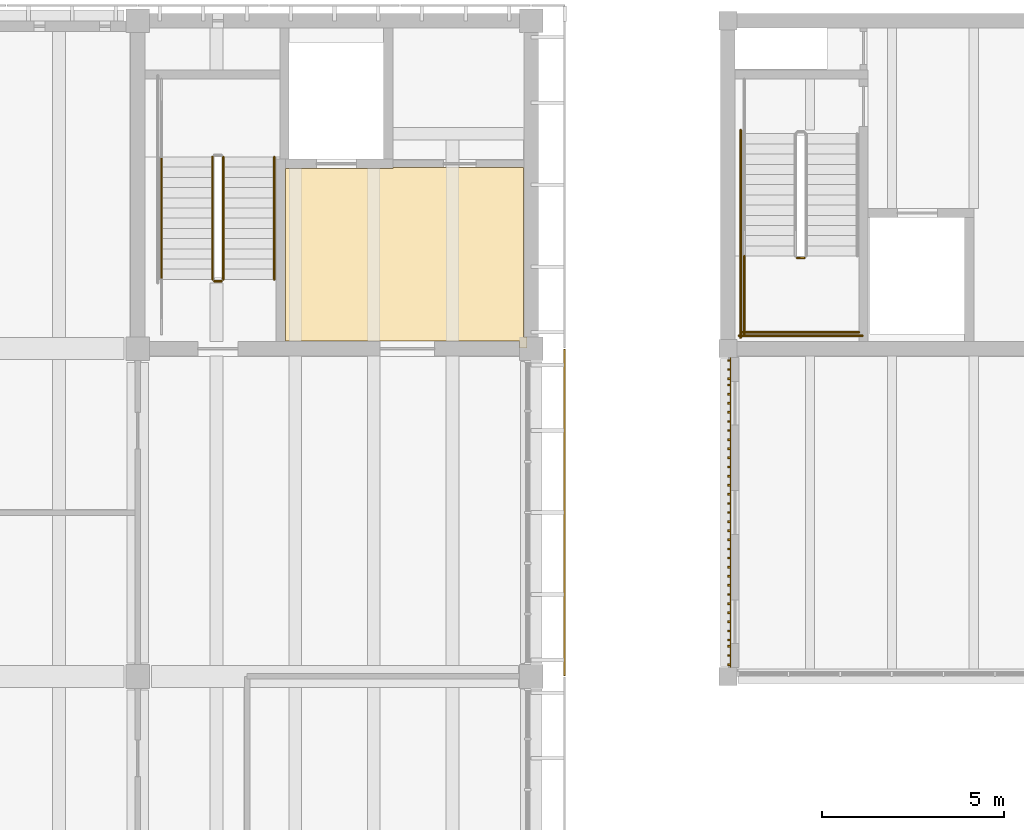
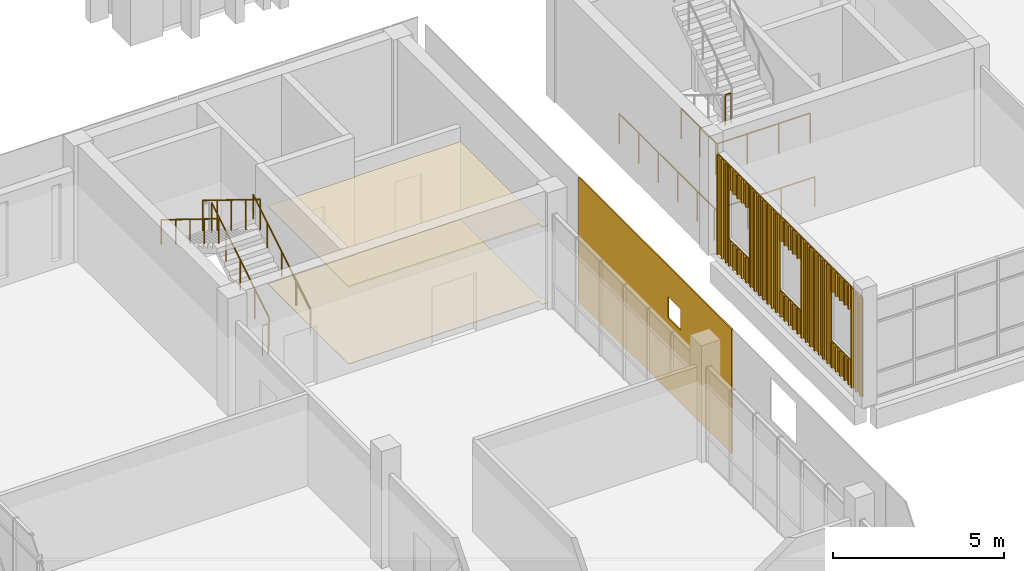
# One storey, part 81 of 92: 13 coverings, 10 railings.
"""IFC4 building model written with IfcOpenShell, lengths in metres."""

from ifc_helpers import new_model, si_unit, direction, frame, origin, origin_2d, place, context, subcontext, project, spatial, polyline, circle, outline, extrude, source, transform, mapped, material, layer, layer_set, type_object, element, save


model = new_model("IFC4")

# Units and contexts
model_context = context("Model", 3, precision=1e-05, world=origin(), true_north=direction((0.0, 1.0)))
body_context = subcontext(model_context, "Body", "Model", "MODEL_VIEW")
ifc_project = project(units=[si_unit("LENGTHUNIT", "METRE"), si_unit("AREAUNIT", "SQUARE_METRE"), si_unit("VOLUMEUNIT", "CUBIC_METRE"), si_unit("PLANEANGLEUNIT", "RADIAN"), si_unit("MASSUNIT", "GRAM", prefix="KILO")], contexts=[model_context])

# Site, building, storey
site_placement = place(None, origin())
site = spatial("IfcSite", under=ifc_project, at=site_placement, CompositionType="ELEMENT")
building_placement = place(site_placement, origin())
building = spatial("IfcBuilding", under=site, at=building_placement, Name="Merrow Basin Faculty of Sciences", CompositionType="ELEMENT")
storey_placement = place(building_placement, frame((0.0, 0.0, 4.5)))
storey = spatial("IfcBuildingStorey", under=building, at=storey_placement, Name="L01", CompositionType="ELEMENT", Elevation=4.5)

# Covering
ifc_material_1 = material(Name="Polished terrazzo floor")
ifc_layer_1 = layer(ifc_material_1, 0.02001953125)
ifc_layer_set_1 = layer_set([ifc_layer_1], Name="Polished terrazzo floor")
covering_type_1 = type_object("IfcCoveringType", Name="Polished terrazzo floor", PredefinedType="FLOORING", material=ifc_layer_set_1)
covering_1_placement = place(storey_placement, origin())
element("IfcCovering", 1, at=covering_1_placement, inside=storey, type_object=covering_type_1, Name="Floor finish L01-B-012", PredefinedType="FLOORING", context=body_context, shape_type="SweptSolid", body=[
    extrude(outline(polyline([(21.389892578125, 128.965087890625), (21.389892578125, 124.31494140625), (21.489990234375, 124.31494140625), (21.489990234375, 124.010009765625), (21.284912109375, 124.010009765625), (21.284912109375, 124.2099609375), (14.860107421875, 124.2099609375), (14.860107421875, 128.93994140625), (17.81005859375, 128.93994140625), (17.81005859375, 128.965087890625), (21.389892578125, 128.965087890625)])), origin(), (0.0, 0.0, 1.0), 0.02001953125),
])

# Railings
ifc_material_2 = material(Name="Steel ASTM A36", Category="steel")
railing_type_1 = type_object("IfcRailingType", Name="Steel guard 1100", PredefinedType="GUARDRAIL", material=ifc_material_2)
railing_1_placement = place(storey_placement, frame((13.14990234375, 125.89990234375, 0.173095703125)))
element("IfcRailing", 2, at=railing_1_placement, inside=storey, type_object=railing_type_1, Name="L01 ST-V4-N stair guard 1", PredefinedType="GUARDRAIL", context=body_context, shape_type="SweptSolid", body=[
    extrude(circle(Radius=0.02392578125, at=origin_2d()), frame((0.0, 0.0, 1.076171875), z_axis=(0.0, 0.850623216509, 0.525775754039), x_axis=(-1.0, 0.0, 0.0)), (0.0, 0.0, 1.0), 3.9501953125),
    extrude(circle(Radius=0.02099609375, at=origin_2d()), origin(), (0.0, 0.0, 1.0), 1.052001953125),
    extrude(circle(Radius=0.02099609375, at=origin_2d()), frame((0.0, 0.840087890625, 0.519287109375)), (0.0, 0.0, 1.0), 1.052001953125),
    extrude(circle(Radius=0.02099609375, at=origin_2d()), frame((0.0, 1.68017578125, 1.03857421875)), (0.0, 0.0, 1.0), 1.052001953125),
    extrude(circle(Radius=0.02099609375, at=origin_2d()), frame((0.0, 2.52001953125, 1.5576171875)), (0.0, 0.0, 1.0), 1.052001953125),
    extrude(circle(Radius=0.02099609375, at=origin_2d()), frame((0.0, 3.360107421875, 2.076904296875)), (0.0, 0.0, 1.0), 1.052001953125),
])
railing_2_placement = place(storey_placement, frame((12.85009765625, 129.260009765625, 2.423095703125)))
element("IfcRailing", 3, at=railing_2_placement, inside=storey, type_object=railing_type_1, Name="L01 ST-V4-N stair guard 4", PredefinedType="GUARDRAIL", context=body_context, shape_type="SweptSolid", body=[
    extrude(circle(Radius=0.02392578125, at=origin_2d()), frame((0.0, 0.0, 1.076171875), z_axis=(0.0, -0.850623216509, 0.525775754039), x_axis=(1.0, 0.0, 0.0)), (0.0, 0.0, 1.0), 3.9501953125),
    extrude(circle(Radius=0.02099609375, at=origin_2d()), origin(), (0.0, 0.0, 1.0), 1.052001953125),
    extrude(circle(Radius=0.02099609375, at=origin_2d()), frame((0.0, -0.840087890625, 0.519287109375)), (0.0, 0.0, 1.0), 1.052001953125),
    extrude(circle(Radius=0.02099609375, at=origin_2d()), frame((0.0, -1.68017578125, 1.03857421875)), (0.0, 0.0, 1.0), 1.052001953125),
    extrude(circle(Radius=0.02099609375, at=origin_2d()), frame((0.0, -2.52001953125, 1.5576171875)), (0.0, 0.0, 1.0), 1.052001953125),
    extrude(circle(Radius=0.02099609375, at=origin_2d()), frame((0.0, -3.360107421875, 2.076904296875)), (0.0, 0.0, 1.0), 1.052001953125),
])
railing_3_placement = place(storey_placement, frame((13.10009765625, 125.85009765625, 0.0)))
element("IfcRailing", 4, at=railing_3_placement, inside=storey, type_object=railing_type_1, Name="L01 ST-V4-N stair guard 5", PredefinedType="GUARDRAIL", context=body_context, shape_type="SweptSolid", body=[
    extrude(circle(Radius=0.02392578125, at=origin_2d()), frame((0.0, 0.0, 1.076171875), z_axis=(-1.0, 0.0, 0.0), x_axis=(0.0, -1.0, 0.0)), (0.0, 0.0, 1.0), 0.2001953125),
    extrude(circle(Radius=0.02099609375, at=origin_2d()), origin(), (0.0, 0.0, 1.0), 1.052001953125),
    extrude(circle(Radius=0.02099609375, at=origin_2d()), frame((-0.2001953125, 0.0, 0.0)), (0.0, 0.0, 1.0), 1.052001953125),
])
railing_4_placement = place(storey_placement, frame((28.89990234375, 126.489990234375, 2.25)))
element("IfcRailing", 5, at=railing_4_placement, inside=storey, type_object=railing_type_1, Name="L01 ST-V2-W stair guard 2", PredefinedType="GUARDRAIL", context=body_context, shape_type="SweptSolid", body=[
    extrude(circle(Radius=0.02392578125, at=origin_2d()), frame((0.0, 0.0, 1.076171875), z_axis=(1.0, 0.0, 0.0), x_axis=(0.0, 1.0, 0.0)), (0.0, 0.0, 1.0), 0.2001953125),
    extrude(circle(Radius=0.02099609375, at=origin_2d()), origin(), (0.0, 0.0, 1.0), 1.052001953125),
    extrude(circle(Radius=0.02099609375, at=origin_2d()), frame((0.2001953125, 0.0, 0.0)), (0.0, 0.0, 1.0), 1.052001953125),
])
railing_5_placement = place(storey_placement, frame((27.449951171875, 126.5400390625, 2.25)))
element("IfcRailing", 6, at=railing_5_placement, inside=storey, type_object=railing_type_1, Name="L01 ST-V2-W stair guard 3", PredefinedType="GUARDRAIL", context=body_context, shape_type="SweptSolid", body=[
    extrude(circle(Radius=0.02392578125, at=origin_2d()), frame((0.0, 0.0, 1.076171875), z_axis=(0.0, -1.0, 0.0), x_axis=(1.0, 0.0, 0.0)), (0.0, 0.0, 1.0), 2.14013671875),
    extrude(circle(Radius=0.02099609375, at=origin_2d()), origin(), (0.0, 0.0, 1.0), 1.052001953125),
    extrude(circle(Radius=0.02099609375, at=origin_2d()), frame((0.0, -1.070068359375, 0.0)), (0.0, 0.0, 1.0), 1.052001953125),
    extrude(circle(Radius=0.02099609375, at=origin_2d()), frame((0.0, -2.14013671875, 0.0)), (0.0, 0.0, 1.0), 1.052001953125),
])
railing_6_placement = place(storey_placement, frame((27.39990234375, 124.449951171875, 2.25)))
element("IfcRailing", 7, at=railing_6_placement, inside=storey, type_object=railing_type_1, Name="L01 ST-V2-W stair guard 4", PredefinedType="GUARDRAIL", context=body_context, shape_type="SweptSolid", body=[
    extrude(circle(Radius=0.02392578125, at=origin_2d()), frame((0.0, 0.0, 1.076171875), z_axis=(1.0, 0.0, 0.0), x_axis=(0.0, 1.0, 0.0)), (0.0, 0.0, 1.0), 3.2001953125),
    extrude(circle(Radius=0.02099609375, at=origin_2d()), origin(), (0.0, 0.0, 1.0), 1.052001953125),
    extrude(circle(Radius=0.02099609375, at=origin_2d()), frame((1.066650390625, 0.0, 0.0)), (0.0, 0.0, 1.0), 1.052001953125),
    extrude(circle(Radius=0.02099609375, at=origin_2d()), frame((2.133544921875, 0.0, 0.0)), (0.0, 0.0, 1.0), 1.052001953125),
    extrude(circle(Radius=0.02099609375, at=origin_2d()), frame((3.2001953125, 0.0, 0.0)), (0.0, 0.0, 1.0), 1.052001953125),
])
railing_7_placement = place(storey_placement, frame((27.35009765625, 130.0, 0.0)))
element("IfcRailing", 8, at=railing_7_placement, inside=storey, type_object=railing_type_1, Name="L01 ST-V2-W stair guard 8", PredefinedType="GUARDRAIL", context=body_context, shape_type="SweptSolid", body=[
    extrude(circle(Radius=0.02392578125, at=origin_2d()), frame((0.0, 0.0, 1.076171875), z_axis=(0.0, -1.0, 0.0), x_axis=(1.0, 0.0, 0.0)), (0.0, 0.0, 1.0), 5.699951171875),
    extrude(circle(Radius=0.02099609375, at=origin_2d()), origin(), (0.0, 0.0, 1.0), 1.052001953125),
    extrude(circle(Radius=0.02099609375, at=origin_2d()), frame((0.0, -1.139892578125, 0.0)), (0.0, 0.0, 1.0), 1.052001953125),
    extrude(circle(Radius=0.02099609375, at=origin_2d()), frame((0.0, -2.280029296875, 0.0)), (0.0, 0.0, 1.0), 1.052001953125),
    extrude(circle(Radius=0.02099609375, at=origin_2d()), frame((0.0, -3.419921875, 0.0)), (0.0, 0.0, 1.0), 1.052001953125),
    extrude(circle(Radius=0.02099609375, at=origin_2d()), frame((0.0, -4.56005859375, 0.0)), (0.0, 0.0, 1.0), 1.052001953125),
    extrude(circle(Radius=0.02099609375, at=origin_2d()), frame((0.0, -5.699951171875, 0.0)), (0.0, 0.0, 1.0), 1.052001953125),
])
railing_8_placement = place(storey_placement, frame((27.300048828125, 124.35009765625, 0.0)))
element("IfcRailing", 9, at=railing_8_placement, inside=storey, type_object=railing_type_1, Name="L01 ST-V2-W stair guard 9", PredefinedType="GUARDRAIL", context=body_context, shape_type="SweptSolid", body=[
    extrude(circle(Radius=0.02392578125, at=origin_2d()), frame((0.0, 0.0, 1.076171875), z_axis=(1.0, 0.0, 0.0), x_axis=(0.0, 1.0, 0.0)), (0.0, 0.0, 1.0), 3.39990234375),
    extrude(circle(Radius=0.02099609375, at=origin_2d()), origin(), (0.0, 0.0, 1.0), 1.052001953125),
    extrude(circle(Radius=0.02099609375, at=origin_2d()), frame((1.13330078125, 0.0, 0.0)), (0.0, 0.0, 1.0), 1.052001953125),
    extrude(circle(Radius=0.02099609375, at=origin_2d()), frame((2.2666015625, 0.0, 0.0)), (0.0, 0.0, 1.0), 1.052001953125),
    extrude(circle(Radius=0.02099609375, at=origin_2d()), frame((3.39990234375, 0.0, 0.0)), (0.0, 0.0, 1.0), 1.052001953125),
])
ifc_material_3 = material(Name="Steel ASTM A36", Category="steel")
railing_type_2 = type_object("IfcRailingType", Name="Steel handrail 900", PredefinedType="HANDRAIL", material=ifc_material_3)
railing_9_placement = place(storey_placement, frame((14.550048828125, 125.89990234375, 0.173095703125)))
element("IfcRailing", 10, at=railing_9_placement, inside=storey, type_object=railing_type_2, Name="L01 ST-V4-N stair handrail 1", PredefinedType="HANDRAIL", context=body_context, shape_type="SweptSolid", body=[
    extrude(circle(Radius=0.02392578125, at=origin_2d()), frame((0.0, 0.0, 0.8759765625), z_axis=(0.0, 0.850623216509, 0.525775754039), x_axis=(-1.0, 0.0, 0.0)), (0.0, 0.0, 1.0), 3.9501953125),
    extrude(circle(Radius=0.02099609375, at=origin_2d()), origin(), (0.0, 0.0, 1.0), 0.851806640625),
    extrude(circle(Radius=0.02099609375, at=origin_2d()), frame((0.0, 0.840087890625, 0.519287109375)), (0.0, 0.0, 1.0), 0.851806640625),
    extrude(circle(Radius=0.02099609375, at=origin_2d()), frame((0.0, 1.68017578125, 1.03857421875)), (0.0, 0.0, 1.0), 0.851806640625),
    extrude(circle(Radius=0.02099609375, at=origin_2d()), frame((0.0, 2.52001953125, 1.5576171875)), (0.0, 0.0, 1.0), 0.851806640625),
    extrude(circle(Radius=0.02099609375, at=origin_2d()), frame((0.0, 3.360107421875, 2.076904296875)), (0.0, 0.0, 1.0), 0.851806640625),
])
railing_10_placement = place(storey_placement, frame((11.449951171875, 129.260009765625, 2.423095703125)))
element("IfcRailing", 11, at=railing_10_placement, inside=storey, type_object=railing_type_2, Name="L01 ST-V4-N stair handrail 2", PredefinedType="HANDRAIL", context=body_context, shape_type="SweptSolid", body=[
    extrude(circle(Radius=0.02392578125, at=origin_2d()), frame((0.0, 0.0, 0.8759765625), z_axis=(0.0, -0.850623216509, 0.525775754039), x_axis=(1.0, 0.0, 0.0)), (0.0, 0.0, 1.0), 3.9501953125),
    extrude(circle(Radius=0.02099609375, at=origin_2d()), origin(), (0.0, 0.0, 1.0), 0.851806640625),
    extrude(circle(Radius=0.02099609375, at=origin_2d()), frame((0.0, -0.840087890625, 0.519287109375)), (0.0, 0.0, 1.0), 0.851806640625),
    extrude(circle(Radius=0.02099609375, at=origin_2d()), frame((0.0, -1.68017578125, 1.03857421875)), (0.0, 0.0, 1.0), 0.851806640625),
    extrude(circle(Radius=0.02099609375, at=origin_2d()), frame((0.0, -2.52001953125, 1.5576171875)), (0.0, 0.0, 1.0), 0.851806640625),
    extrude(circle(Radius=0.02099609375, at=origin_2d()), frame((0.0, -3.360107421875, 2.076904296875)), (0.0, 0.0, 1.0), 0.851806640625),
])

# Coverings
ifc_material_4 = material(Name="Mineral fibre ceiling tile")
ifc_layer_2 = layer(ifc_material_4, 0.050048828125)
ifc_layer_set_2 = layer_set([ifc_layer_2], Name="Suspended acoustic ceiling tile")
covering_type_2 = type_object("IfcCoveringType", Name="Suspended acoustic ceiling tile", PredefinedType="CEILING", material=ifc_layer_set_2)
covering_2_placement = place(storey_placement, frame((0.0, 0.0, 2.75)))
element("IfcCovering", 12, at=covering_2_placement, inside=storey, type_object=covering_type_2, Name="Ceiling L01-B-012", PredefinedType="CEILING", context=body_context, shape_type="SweptSolid", body=[
    extrude(outline(polyline([(21.389892578125, 128.965087890625), (21.389892578125, 124.31494140625), (21.489990234375, 124.31494140625), (21.489990234375, 124.010009765625), (21.284912109375, 124.010009765625), (21.284912109375, 124.2099609375), (14.860107421875, 124.2099609375), (14.860107421875, 128.93994140625), (17.81005859375, 128.93994140625), (17.81005859375, 128.965087890625), (21.389892578125, 128.965087890625)])), origin(), (0.0, 0.0, 1.0), 0.050048828125),
])
ifc_material_5 = material(Name="White powder-coated aluminium", Category="aluminium")
ifc_layer_3 = layer(ifc_material_5, 0.0400390625)
ifc_layer_set_3 = layer_set([ifc_layer_3], Name="Perforated panel 9000 x 4500")
covering_type_3 = type_object("IfcCoveringType", Name="Perforated panel 9000 x 4500", PredefinedType="CLADDING", material=ifc_layer_set_3)
shared_shape_1 = source(origin(), body_context, "Body", "SweptSolid", [
    extrude(outline(polyline([(0.02001953125, 0.02001953125), (8.97998046875, 0.02001953125), (8.97998046875, 4.47998046875), (0.02001953125, 4.47998046875), (0.02001953125, 0.02001953125)]), holes=[polyline([(5.25, 2.625), (6.0, 2.625), (6.0, 3.375), (5.25, 3.375), (5.25, 2.625)])]), origin(), (0.0, 0.0, 1.0), 0.0400390625),
])
covering_3_placement = place(storey_placement, frame((22.5400390625, 124.0, -0.320068359375), z_axis=(-1.0, 0.0, 0.0), x_axis=(0.0, -1.0, 0.0)))
element("IfcCovering", 13, at=covering_3_placement, inside=storey, type_object=covering_type_3, Name="Perforated panel EL01-07", PredefinedType="CLADDING", context=body_context, shape_type="MappedRepresentation", body=[
    mapped(shared_shape_1, transform((0.0, 0.0, 0.0), scale=1.0)),
])
ifc_material_6 = material(Name="Larch timber", Category="wood")
ifc_layer_4 = layer(ifc_material_6, 0.0849609375)
ifc_layer_set_4 = layer_set([ifc_layer_4], Name="Larch batten cladding 85")
covering_type_4 = type_object("IfcCoveringType", Name="Larch batten cladding 85", PredefinedType="CLADDING", material=ifc_layer_set_4)
shared_shape_2 = source(origin(), body_context, "Body", "SweptSolid", [
    extrude(outline(polyline([(0.0, 0.0), (1.199951171875, 0.0), (1.199951171875, 0.02490234375), (1.125, 0.02490234375), (1.125, 0.0849609375), (1.074951171875, 0.0849609375), (1.074951171875, 0.02490234375), (0.875, 0.02490234375), (0.875, 0.0849609375), (0.824951171875, 0.0849609375), (0.824951171875, 0.02490234375), (0.625, 0.02490234375), (0.625, 0.0849609375), (0.574951171875, 0.0849609375), (0.574951171875, 0.02490234375), (0.375, 0.02490234375), (0.375, 0.0849609375), (0.324951171875, 0.0849609375), (0.324951171875, 0.02490234375), (0.125, 0.02490234375), (0.125, 0.0849609375), (0.074951171875, 0.0849609375), (0.074951171875, 0.02490234375), (0.0, 0.02490234375), (0.0, 0.0)])), origin(), (0.0, 0.0, 1.0), 0.89990234375),
])
for number, where, z_axis, x_axis, name in (
    (14, (27.0849609375, 115.89990234375, 0.0), (0.0, 0.0, 1.0), (0.0, 1.0, 0.0), "Larch batten cladding"),
    (15, (27.0849609375, 118.89990234375, 0.0), (0.0, 0.0, 1.0), (0.0, 1.0, 0.0), "Larch batten cladding"),
    (16, (27.0849609375, 121.89990234375, 0.0), (0.0, 0.0, 1.0), (0.0, 1.0, 0.0), "Larch batten cladding"),
):
    element("IfcCovering", number, at=place(storey_placement, frame(where, z_axis=z_axis, x_axis=x_axis)), inside=storey, type_object=covering_type_4, Name=name, PredefinedType="CLADDING", context=body_context, shape_type="MappedRepresentation", body=[
        mapped(shared_shape_2, transform((0.0, 0.0, 0.0), scale=1.0)),
    ])
shared_shape_3 = source(origin(), body_context, "Body", "SweptSolid", [
    extrude(outline(polyline([(0.0, 0.0), (1.199951171875, 0.0), (1.199951171875, 0.02490234375), (1.125, 0.02490234375), (1.125, 0.0849609375), (1.074951171875, 0.0849609375), (1.074951171875, 0.02490234375), (0.875, 0.02490234375), (0.875, 0.0849609375), (0.824951171875, 0.0849609375), (0.824951171875, 0.02490234375), (0.625, 0.02490234375), (0.625, 0.0849609375), (0.574951171875, 0.0849609375), (0.574951171875, 0.02490234375), (0.375, 0.02490234375), (0.375, 0.0849609375), (0.324951171875, 0.0849609375), (0.324951171875, 0.02490234375), (0.125, 0.02490234375), (0.125, 0.0849609375), (0.074951171875, 0.0849609375), (0.074951171875, 0.02490234375), (0.0, 0.02490234375), (0.0, 0.0)])), origin(), (0.0, 0.0, 1.0), 0.85009765625),
])
for number, where, z_axis, x_axis, name in (
    (17, (27.0849609375, 115.89990234375, 2.699951171875), (0.0, 0.0, 1.0), (0.0, 1.0, 0.0), "Larch batten cladding"),
    (18, (27.0849609375, 118.89990234375, 2.699951171875), (0.0, 0.0, 1.0), (0.0, 1.0, 0.0), "Larch batten cladding"),
    (19, (27.0849609375, 121.89990234375, 2.699951171875), (0.0, 0.0, 1.0), (0.0, 1.0, 0.0), "Larch batten cladding"),
):
    element("IfcCovering", number, at=place(storey_placement, frame(where, z_axis=z_axis, x_axis=x_axis)), inside=storey, type_object=covering_type_4, Name=name, PredefinedType="CLADDING", context=body_context, shape_type="MappedRepresentation", body=[
        mapped(shared_shape_3, transform((0.0, 0.0, 0.0), scale=1.0)),
    ])
shared_shape_4 = source(origin(), body_context, "Body", "SweptSolid", [
    extrude(outline(polyline([(0.0, 0.0), (0.64990234375, 0.0), (0.64990234375, 0.02490234375), (0.60009765625, 0.02490234375), (0.60009765625, 0.0849609375), (0.550048828125, 0.0849609375), (0.550048828125, 0.02490234375), (0.35009765625, 0.02490234375), (0.35009765625, 0.0849609375), (0.300048828125, 0.0849609375), (0.300048828125, 0.02490234375), (0.10009765625, 0.02490234375), (0.10009765625, 0.0849609375), (0.050048828125, 0.0849609375), (0.050048828125, 0.02490234375), (0.0, 0.02490234375), (0.0, 0.0)])), origin(), (0.0, 0.0, 1.0), 3.550048828125),
])
for number, where, z_axis, x_axis, name in (
    (20, (27.0849609375, 115.25, 0.0), (0.0, 0.0, 1.0), (0.0, 1.0, 0.0), "Larch batten cladding"),
    (21, (27.0849609375, 123.10009765625, 0.0), (0.0, 0.0, 1.0), (0.0, 1.0, 0.0), "Larch batten cladding"),
):
    element("IfcCovering", number, at=place(storey_placement, frame(where, z_axis=z_axis, x_axis=x_axis)), inside=storey, type_object=covering_type_4, Name=name, PredefinedType="CLADDING", context=body_context, shape_type="MappedRepresentation", body=[
        mapped(shared_shape_4, transform((0.0, 0.0, 0.0), scale=1.0)),
    ])
shared_shape_5 = source(origin(), body_context, "Body", "SweptSolid", [
    extrude(outline(polyline([(0.0, 0.0), (1.800048828125, 0.0), (1.800048828125, 0.02490234375), (1.675048828125, 0.02490234375), (1.675048828125, 0.0849609375), (1.625, 0.0849609375), (1.625, 0.02490234375), (1.425048828125, 0.02490234375), (1.425048828125, 0.0849609375), (1.375, 0.0849609375), (1.375, 0.02490234375), (1.175048828125, 0.02490234375), (1.175048828125, 0.0849609375), (1.125, 0.0849609375), (1.125, 0.02490234375), (0.925048828125, 0.02490234375), (0.925048828125, 0.0849609375), (0.875, 0.0849609375), (0.875, 0.02490234375), (0.675048828125, 0.02490234375), (0.675048828125, 0.0849609375), (0.625, 0.0849609375), (0.625, 0.02490234375), (0.425048828125, 0.02490234375), (0.425048828125, 0.0849609375), (0.375, 0.0849609375), (0.375, 0.02490234375), (0.175048828125, 0.02490234375), (0.175048828125, 0.0849609375), (0.125, 0.0849609375), (0.125, 0.02490234375), (0.0, 0.02490234375), (0.0, 0.0)])), origin(), (0.0, 0.0, 1.0), 3.550048828125),
])
for number, where, z_axis, x_axis, name in (
    (22, (27.0849609375, 117.10009765625, 0.0), (0.0, 0.0, 1.0), (0.0, 1.0, 0.0), "Larch batten cladding"),
    (23, (27.0849609375, 120.10009765625, 0.0), (0.0, 0.0, 1.0), (0.0, 1.0, 0.0), "Larch batten cladding"),
):
    element("IfcCovering", number, at=place(storey_placement, frame(where, z_axis=z_axis, x_axis=x_axis)), inside=storey, type_object=covering_type_4, Name=name, PredefinedType="CLADDING", context=body_context, shape_type="MappedRepresentation", body=[
        mapped(shared_shape_5, transform((0.0, 0.0, 0.0), scale=1.0)),
    ])

save(model, "model.ifc")
